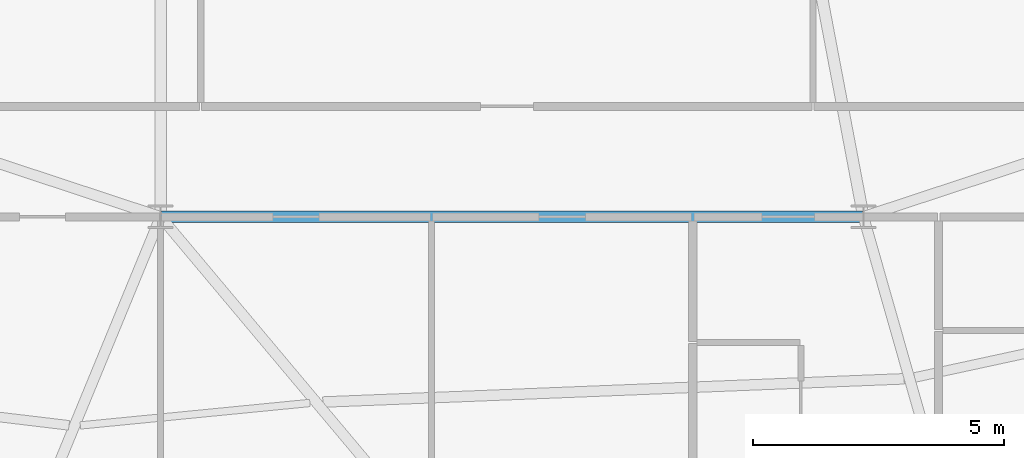
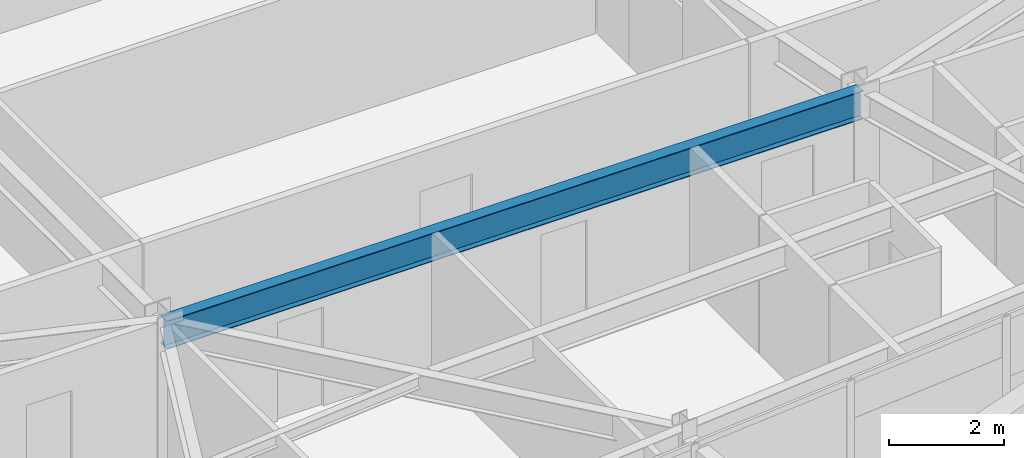
# One storey, part 12 of 54: 1 beam.
"""IFC4 building model written with IfcOpenShell, lengths in metres."""

from ifc_helpers import new_model, si_unit, direction, frame, origin, origin_2d, place, context, subcontext, project, spatial, i_section, extrude, source, transform, mapped, material, material_profile, profile_set, type_object, element, save


model = new_model("IFC4")

# Units and contexts
model_context = context("Model", 3, precision=1e-05, world=origin(), true_north=direction((0.0, 1.0)))
body_context = subcontext(model_context, "Body", "Model", "MODEL_VIEW")
ifc_project = project(units=[si_unit("LENGTHUNIT", "METRE"), si_unit("AREAUNIT", "SQUARE_METRE"), si_unit("VOLUMEUNIT", "CUBIC_METRE"), si_unit("PLANEANGLEUNIT", "RADIAN"), si_unit("MASSUNIT", "GRAM", prefix="KILO")], contexts=[model_context])

# Site, building, storey
site_placement = place(None, origin())
site = spatial("IfcSite", under=ifc_project, at=site_placement, CompositionType="ELEMENT")
building_placement = place(site_placement, origin())
building = spatial("IfcBuilding", under=site, at=building_placement, Name="Taldren Reach Tower", CompositionType="ELEMENT")
storey_placement = place(building_placement, frame((0.0, 0.0, 99.75)))
storey = spatial("IfcBuildingStorey", under=building, at=storey_placement, Name="L30", CompositionType="ELEMENT", Elevation=99.75)

# Beam
ifc_material = material(Name="Steel Gr 350 (350PLUS)", Category="steel")
ifc_material_profile = material_profile(ifc_material, i_section(OverallWidth=0.22802734375, OverallDepth=0.60205078125, WebThickness=0.010498046875, FlangeThickness=0.014892578125, at=origin_2d()), Name="610UB101")
ifc_profile_set = profile_set([ifc_material_profile], Name="Steel Gr 350 (350PLUS)")
beam_type = type_object("IfcBeamType", Name="BM-UB610B", PredefinedType="BEAM", material=ifc_profile_set)
shared_shape = source(origin(), body_context, "Body", "SweptSolid", [
    extrude(i_section(OverallWidth=0.22802734375, OverallDepth=0.60205078125, WebThickness=0.010498046875, FlangeThickness=0.014892578125, at=origin_2d()), origin(), (0.0, 0.0, 1.0), 14.0),
])
beam_placement = place(storey_placement, frame((28.0, 9.199951171875, 2.62890625), z_axis=(1.0, 0.0, 0.0), x_axis=(0.0, 1.0, 0.0)))
element("IfcBeam", 1, at=beam_placement, inside=storey, type_object=beam_type, Name="Core-spine girder L30-SP11", PredefinedType="BEAM", context=body_context, shape_type="MappedRepresentation", body=[
    mapped(shared_shape, transform((0.0, 0.0, 0.0), scale=1.0)),
])

save(model, "model.ifc")
